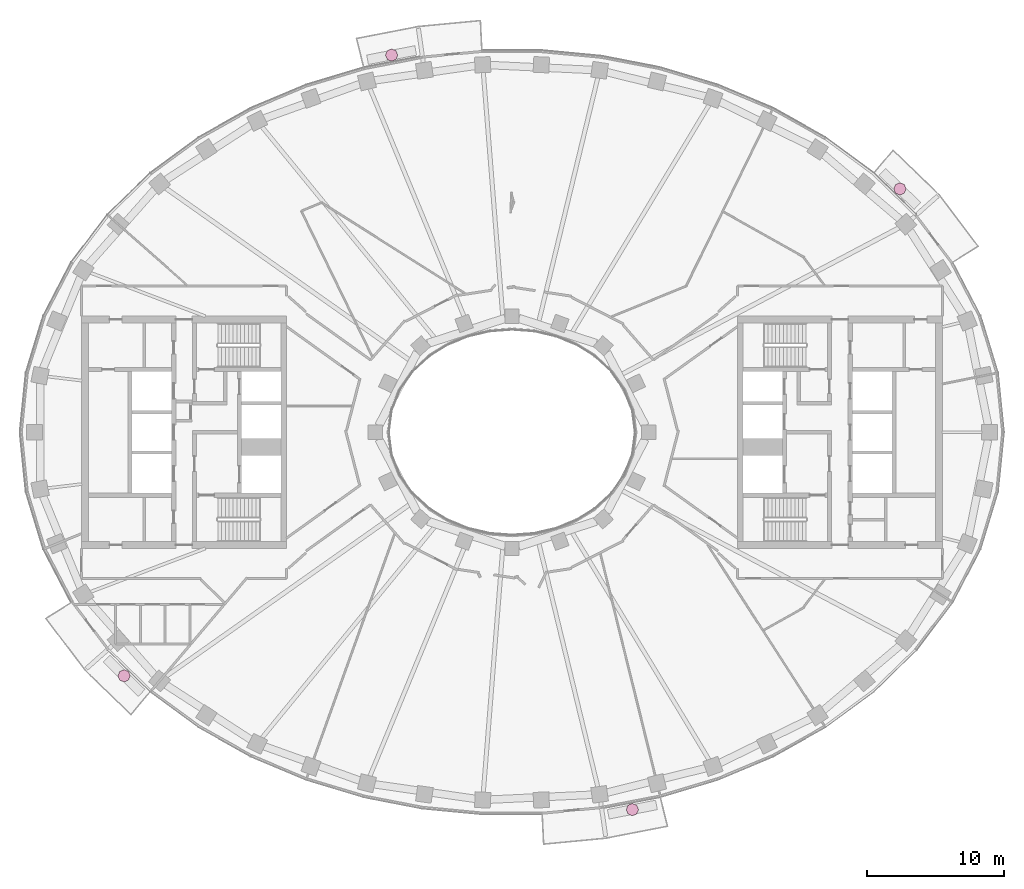
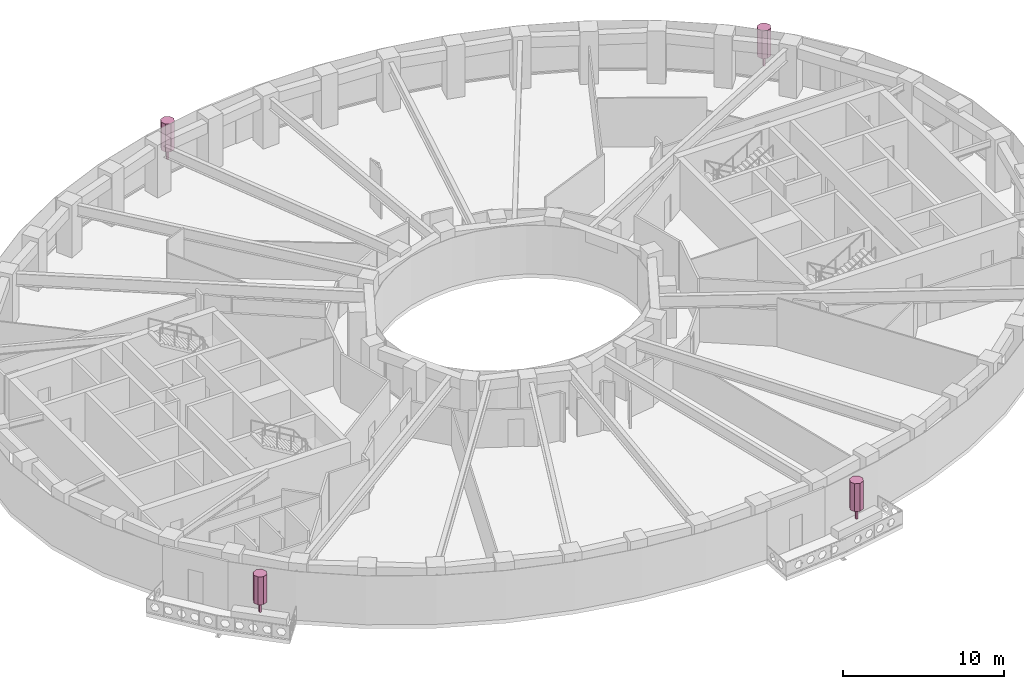
# One storey, part 16 of 16: 4 furnishings.
"""IFC4 building model written with IfcOpenShell, lengths in metres."""

from ifc_helpers import new_model, si_unit, direction, frame, origin, origin_2d, place, context, subcontext, project, spatial, polyline, rectangle, outline, extrude, material, type_object, element, save


model = new_model("IFC4")

# Units and contexts
model_context = context("Model", 3, precision=1e-05, world=origin(), true_north=direction((0.0, 1.0)))
body_context = subcontext(model_context, "Body", "Model", "MODEL_VIEW")
ifc_project = project(units=[si_unit("LENGTHUNIT", "METRE"), si_unit("AREAUNIT", "SQUARE_METRE"), si_unit("VOLUMEUNIT", "CUBIC_METRE"), si_unit("PLANEANGLEUNIT", "RADIAN"), si_unit("MASSUNIT", "GRAM", prefix="KILO")], contexts=[model_context])

# Site, building, storey
site_placement = place(None, origin())
site = spatial("IfcSite", under=ifc_project, at=site_placement, CompositionType="ELEMENT")
building_placement = place(site_placement, origin())
building = spatial("IfcBuilding", under=site, at=building_placement, Name="Noorbagh Ring Tower", CompositionType="ELEMENT")
storey_placement = place(building_placement, frame((0.0, 0.0, 186.0)))
storey = spatial("IfcBuildingStorey", under=building, at=storey_placement, Name="L43", CompositionType="ELEMENT", Elevation=186.0)

# Furnishings
ifc_material = material(Name="Planting foliage green")
furnishing_element_type = type_object("IfcFurnishingElementType", Name="ENV-TREE", material=ifc_material)
for number, where, z_axis, x_axis, name in (
    (1, (28.3837890625, 17.814208984375, 0.60009765625), (0.0, 0.0, 1.0), (1.0, 0.0, 0.0), "Tree BN01"),
    (2, (-8.807861328125, 27.603515625, 0.60009765625), (0.0, 0.0, 1.0), (1.0, 0.0, 0.0), "Tree BN04"),
    (3, (-28.3837890625, -17.814208984375, 0.60009765625), (0.0, 0.0, 1.0), (1.0, 0.0, 0.0), "Tree BS01"),
    (4, (8.807861328125, -27.603515625, 0.60009765625), (0.0, 0.0, 1.0), (1.0, 0.0, 0.0), "Tree BS04"),
):
    element("IfcFurnishingElement", number, at=place(storey_placement, frame(where, z_axis=z_axis, x_axis=x_axis)), inside=storey, type_object=furnishing_element_type, Name=name, context=body_context, shape_type="SweptSolid", body=[
        extrude(rectangle(XDim=0.1201171875, YDim=0.1201171875, at=origin_2d()), origin(), (0.0, 0.0, 1.0), 0.825927734375),
        extrude(outline(polyline([(0.449951171875, 0.0), (0.318115234375, 0.318115234375), (0.0, 0.449951171875), (-0.318115234375, 0.318115234375), (-0.449951171875, 0.0), (-0.318115234375, -0.318115234375), (0.0, -0.449951171875), (0.318115234375, -0.318115234375), (0.449951171875, 0.0)])), frame((0.0, 0.0, 0.825927734375)), (0.0, 0.0, 1.0), 2.1240234375),
    ])

save(model, "model.ifc")
